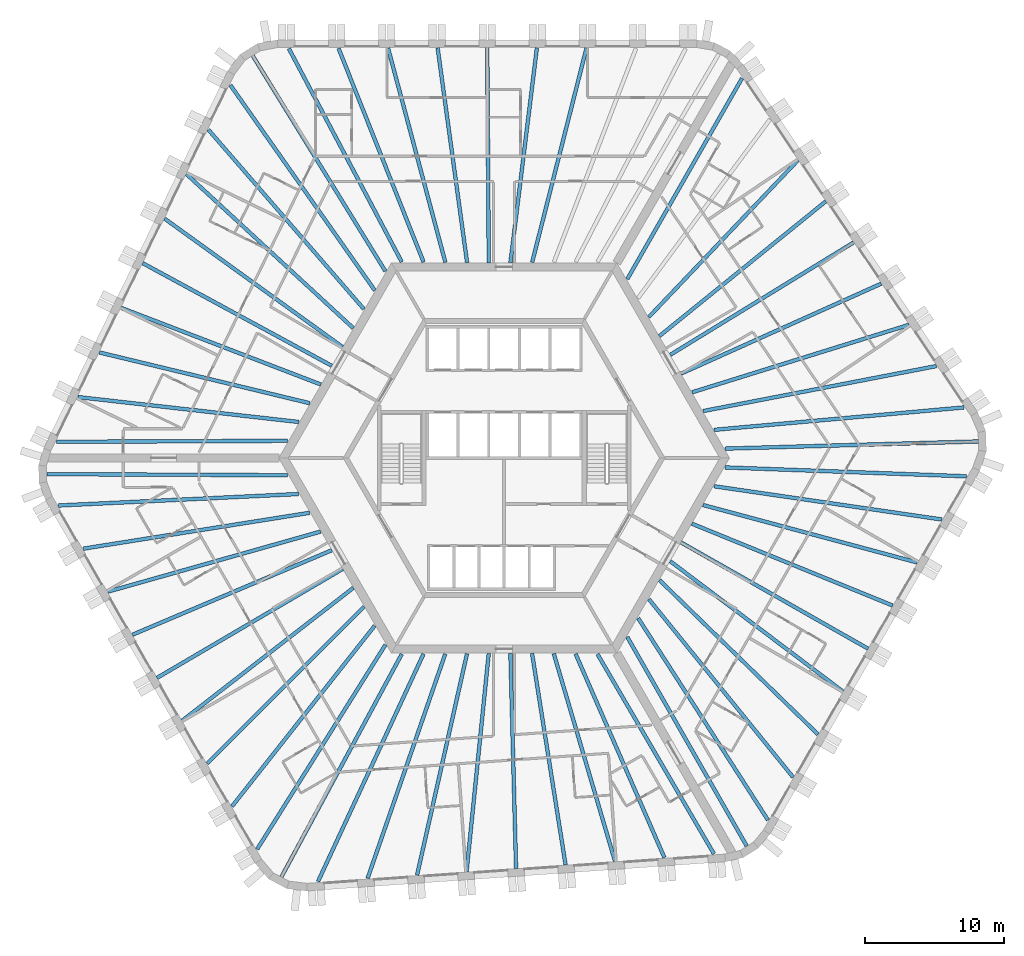
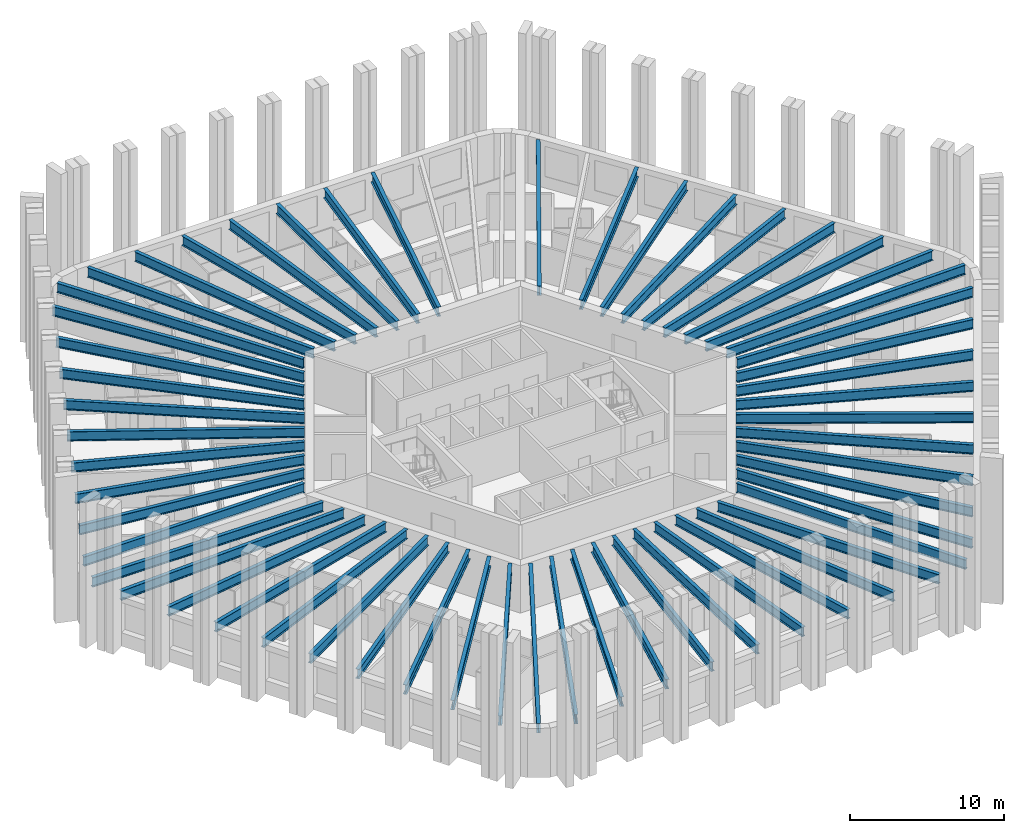
# One storey, part 1 of 13: 56 beams.
"""IFC4 building model written with IfcOpenShell, lengths in metres."""

from ifc_helpers import new_model, si_unit, direction, frame, origin, origin_2d, place, context, subcontext, project, spatial, i_section, extrude, material, material_profile, profile_set, type_object, element, save


model = new_model("IFC4")

# Units and contexts
model_context = context("Model", 3, precision=1e-05, world=origin(), true_north=direction((0.0, 1.0)))
body_context = subcontext(model_context, "Body", "Model", "MODEL_VIEW")
ifc_project = project(units=[si_unit("LENGTHUNIT", "METRE"), si_unit("AREAUNIT", "SQUARE_METRE"), si_unit("VOLUMEUNIT", "CUBIC_METRE"), si_unit("PLANEANGLEUNIT", "RADIAN"), si_unit("MASSUNIT", "GRAM", prefix="KILO")], contexts=[model_context])

# Site, building, storey
site_placement = place(None, origin())
site = spatial("IfcSite", under=ifc_project, at=site_placement, CompositionType="ELEMENT")
building_placement = place(site_placement, origin())
building = spatial("IfcBuilding", under=site, at=building_placement, Name="Tarnside Tower", CompositionType="ELEMENT")
storey_placement = place(building_placement, frame((0.0, 0.0, 135.0)))
storey = spatial("IfcBuildingStorey", under=building, at=storey_placement, Name="L31", CompositionType="ELEMENT", Elevation=135.0)

# Beams
ifc_material = material(Name="Steel S355", Category="steel")
ifc_material_profile_1 = material_profile(ifc_material, i_section(OverallWidth=0.26513671875, OverallDepth=0.75390625, WebThickness=0.0126953125, FlangeThickness=0.017578125, FilletRadius=0.0166015625, at=origin_2d()), Name="UB 762x267x147")
ifc_profile_set_1 = profile_set([ifc_material_profile_1], Name="Steel S355")
beam_type_1 = type_object("IfcBeamType", Name="Floor beam UB 762x267x147", PredefinedType="BEAM", material=ifc_profile_set_1)
beam_1_placement = place(storey_placement, frame((2.3525390625, 29.43017578125, 3.373046875), z_axis=(-0.122329629165, -0.992489527314, 0.0), x_axis=(0.992489527314, -0.122329629165, 0.0)))
element("IfcBeam", 1, at=beam_1_placement, inside=storey, type_object=beam_type_1, Name="Floor beam F1.04", PredefinedType="BEAM", context=body_context, shape_type="SweptSolid", body=[
    extrude(i_section(OverallWidth=0.26513671875, OverallDepth=0.75390625, WebThickness=0.0126953125, FlangeThickness=0.017578125, FilletRadius=0.0166015625, at=origin_2d()), origin(), (0.0, 0.0, 1.0), 15.527099609375),
])
beam_2_placement = place(storey_placement, frame((-1.208984375, 29.449951171875, 3.373046875), z_axis=(0.007000128723, -0.999975498799, 0.0), x_axis=(0.999975498799, 0.007000128723, 0.0)))
element("IfcBeam", 2, at=beam_2_placement, inside=storey, type_object=beam_type_1, Name="Floor beam F1.05", PredefinedType="BEAM", context=body_context, shape_type="SweptSolid", body=[
    extrude(i_section(OverallWidth=0.26513671875, OverallDepth=0.75390625, WebThickness=0.0126953125, FlangeThickness=0.017578125, FilletRadius=0.0166015625, at=origin_2d()), origin(), (0.0, 0.0, 1.0), 15.450439453125),
])
beam_3_placement = place(storey_placement, frame((-4.7705078125, 29.43017578125, 3.373046875), z_axis=(0.136000560933, -0.990708760144, 0.0), x_axis=(0.990708760144, 0.136000560933, 0.0)))
element("IfcBeam", 3, at=beam_3_placement, inside=storey, type_object=beam_type_1, Name="Floor beam F1.06", PredefinedType="BEAM", context=body_context, shape_type="SweptSolid", body=[
    extrude(i_section(OverallWidth=0.26513671875, OverallDepth=0.75390625, WebThickness=0.0126953125, FlangeThickness=0.017578125, FilletRadius=0.0166015625, at=origin_2d()), origin(), (0.0, 0.0, 1.0), 15.554931640625),
])
beam_4_placement = place(storey_placement, frame((-24.348876953125, 17.168212890625, 3.373046875), z_axis=(0.811027744825, -0.585007689799, 0.0), x_axis=(0.585007689799, 0.811027744825, 0.0)))
element("IfcBeam", 4, at=beam_4_placement, inside=storey, type_object=beam_type_1, Name="Floor beam F2.04", PredefinedType="BEAM", context=body_context, shape_type="SweptSolid", body=[
    extrude(i_section(OverallWidth=0.26513671875, OverallDepth=0.75390625, WebThickness=0.0126953125, FlangeThickness=0.017578125, FilletRadius=0.0166015625, at=origin_2d()), origin(), (0.0, 0.0, 1.0), 15.731689453125),
])
beam_5_placement = place(storey_placement, frame((-25.92626953125, 13.978271484375, 3.373046875), z_axis=(0.878894567679, -0.477016078245, 0.0), x_axis=(0.477016078245, 0.878894567679, 0.0)))
element("IfcBeam", 5, at=beam_5_placement, inside=storey, type_object=beam_type_1, Name="Floor beam F2.05", PredefinedType="BEAM", context=body_context, shape_type="SweptSolid", body=[
    extrude(i_section(OverallWidth=0.26513671875, OverallDepth=0.75390625, WebThickness=0.0126953125, FlangeThickness=0.017578125, FilletRadius=0.0166015625, at=origin_2d()), origin(), (0.0, 0.0, 1.0), 15.427490234375),
])
beam_6_placement = place(storey_placement, frame((-27.487548828125, 10.77734375, 3.373046875), z_axis=(0.933617702452, -0.358270827264, 0.0), x_axis=(0.358270827264, 0.933617702452, 0.0)))
element("IfcBeam", 6, at=beam_6_placement, inside=storey, type_object=beam_type_1, Name="Floor beam F2.06", PredefinedType="BEAM", context=body_context, shape_type="SweptSolid", body=[
    extrude(i_section(OverallWidth=0.26513671875, OverallDepth=0.75390625, WebThickness=0.0126953125, FlangeThickness=0.017578125, FilletRadius=0.0166015625, at=origin_2d()), origin(), (0.0, 0.0, 1.0), 15.363037109375),
])
beam_7_placement = place(storey_placement, frame((-29.029296875, 7.572509765625, 3.373046875), z_axis=(0.972101750991, -0.234559556873, 0.0), x_axis=(0.234559556873, 0.972101750991, 0.0)))
element("IfcBeam", 7, at=beam_7_placement, inside=storey, type_object=beam_type_1, Name="Floor beam F2.07", PredefinedType="BEAM", context=body_context, shape_type="SweptSolid", body=[
    extrude(i_section(OverallWidth=0.26513671875, OverallDepth=0.75390625, WebThickness=0.0126953125, FlangeThickness=0.017578125, FilletRadius=0.0166015625, at=origin_2d()), origin(), (0.0, 0.0, 1.0), 15.522216796875),
])
beam_8_placement = place(storey_placement, frame((-26.66357421875, -12.677734375, 3.373046875), z_axis=(0.920684021494, 0.390308765679, 0.0), x_axis=(-0.390308765679, 0.920684021494, 0.0)))
element("IfcBeam", 8, at=beam_8_placement, inside=storey, type_object=beam_type_1, Name="Floor beam F3.04", PredefinedType="BEAM", context=body_context, shape_type="SweptSolid", body=[
    extrude(i_section(OverallWidth=0.26513671875, OverallDepth=0.75390625, WebThickness=0.0126953125, FlangeThickness=0.017578125, FilletRadius=0.0166015625, at=origin_2d()), origin(), (0.0, 0.0, 1.0), 15.52685546875),
])
beam_9_placement = place(storey_placement, frame((-24.89990234375, -15.772216796875, 3.373046875), z_axis=(0.862497502004, 0.506061319443, 0.0), x_axis=(-0.506061319443, 0.862497502004, 0.0)))
element("IfcBeam", 9, at=beam_9_placement, inside=storey, type_object=beam_type_1, Name="Floor beam F3.05", PredefinedType="BEAM", context=body_context, shape_type="SweptSolid", body=[
    extrude(i_section(OverallWidth=0.26513671875, OverallDepth=0.75390625, WebThickness=0.0126953125, FlangeThickness=0.017578125, FilletRadius=0.0166015625, at=origin_2d()), origin(), (0.0, 0.0, 1.0), 15.450439453125),
])
beam_10_placement = place(storey_placement, frame((-23.10205078125, -18.846435546875, 3.373046875), z_axis=(0.789983963813, 0.613127504617, 0.0), x_axis=(-0.613127504617, 0.789983963813, 0.0)))
element("IfcBeam", 10, at=beam_10_placement, inside=storey, type_object=beam_type_1, Name="Floor beam F3.06", PredefinedType="BEAM", context=body_context, shape_type="SweptSolid", body=[
    extrude(i_section(OverallWidth=0.26513671875, OverallDepth=0.75390625, WebThickness=0.0126953125, FlangeThickness=0.017578125, FilletRadius=0.0166015625, at=origin_2d()), origin(), (0.0, 0.0, 1.0), 15.554931640625),
])
beam_11_placement = place(storey_placement, frame((-2.693603515625, -29.6708984375, 3.373046875), z_axis=(0.101123115756, 0.994873919379, 0.0), x_axis=(-0.994873919379, 0.101123115756, 0.0)))
element("IfcBeam", 11, at=beam_11_placement, inside=storey, type_object=beam_type_1, Name="Floor beam F4.04", PredefinedType="BEAM", context=body_context, shape_type="SweptSolid", body=[
    extrude(i_section(OverallWidth=0.26513671875, OverallDepth=0.75390625, WebThickness=0.0126953125, FlangeThickness=0.017578125, FilletRadius=0.0166015625, at=origin_2d()), origin(), (0.0, 0.0, 1.0), 15.7314453125),
])
beam_12_placement = place(storey_placement, frame((0.857666015625, -29.44189453125, 3.373046875), z_axis=(-0.026333316788, 0.999653218085, 0.0), x_axis=(-0.999653218085, -0.026333316788, 0.0)))
element("IfcBeam", 12, at=beam_12_placement, inside=storey, type_object=beam_type_1, Name="Floor beam F4.05", PredefinedType="BEAM", context=body_context, shape_type="SweptSolid", body=[
    extrude(i_section(OverallWidth=0.26513671875, OverallDepth=0.75390625, WebThickness=0.0126953125, FlangeThickness=0.017578125, FilletRadius=0.0166015625, at=origin_2d()), origin(), (0.0, 0.0, 1.0), 15.42724609375),
])
beam_13_placement = place(storey_placement, frame((4.41015625, -29.193603515625, 3.373046875), z_axis=(-0.156513375907, 0.98767583911, 0.0), x_axis=(-0.98767583911, -0.156513375907, 0.0)))
element("IfcBeam", 13, at=beam_13_placement, inside=storey, type_object=beam_type_1, Name="Floor beam F4.06", PredefinedType="BEAM", context=body_context, shape_type="SweptSolid", body=[
    extrude(i_section(OverallWidth=0.26513671875, OverallDepth=0.75390625, WebThickness=0.0126953125, FlangeThickness=0.017578125, FilletRadius=0.0166015625, at=origin_2d()), origin(), (0.0, 0.0, 1.0), 15.36328125),
])
beam_14_placement = place(storey_placement, frame((7.956787109375, -28.926513671875, 3.373046875), z_axis=(-0.282920694328, 0.959143305623, 0.0), x_axis=(-0.959143305623, -0.282920694328, 0.0)))
element("IfcBeam", 14, at=beam_14_placement, inside=storey, type_object=beam_type_1, Name="Floor beam F4.07", PredefinedType="BEAM", context=body_context, shape_type="SweptSolid", body=[
    extrude(i_section(OverallWidth=0.26513671875, OverallDepth=0.75390625, WebThickness=0.0126953125, FlangeThickness=0.017578125, FilletRadius=0.0166015625, at=origin_2d()), origin(), (0.0, 0.0, 1.0), 15.5224609375),
])
beam_15_placement = place(storey_placement, frame((24.31103515625, -16.75244140625, 3.373046875), z_axis=(-0.798361152727, 0.602178935049, 0.0), x_axis=(-0.602178935049, -0.798361152727, 0.0)))
element("IfcBeam", 15, at=beam_15_placement, inside=storey, type_object=beam_type_1, Name="Floor beam F5.04", PredefinedType="BEAM", context=body_context, shape_type="SweptSolid", body=[
    extrude(i_section(OverallWidth=0.26513671875, OverallDepth=0.75390625, WebThickness=0.0126953125, FlangeThickness=0.017578125, FilletRadius=0.0166015625, at=origin_2d()), origin(), (0.0, 0.0, 1.0), 15.527099609375),
])
beam_16_placement = place(storey_placement, frame((26.10888671875, -13.677978515625, 3.373046875), z_axis=(-0.869502520992, 0.493928502911, 0.0), x_axis=(-0.493928502911, -0.869502520992, 0.0)))
element("IfcBeam", 16, at=beam_16_placement, inside=storey, type_object=beam_type_1, Name="Floor beam F5.05", PredefinedType="BEAM", context=body_context, shape_type="SweptSolid", body=[
    extrude(i_section(OverallWidth=0.26513671875, OverallDepth=0.75390625, WebThickness=0.0126953125, FlangeThickness=0.017578125, FilletRadius=0.0166015625, at=origin_2d()), origin(), (0.0, 0.0, 1.0), 15.4501953125),
])
beam_17_placement = place(storey_placement, frame((27.87255859375, -10.58349609375, 3.373046875), z_axis=(-0.925981621163, 0.377568586177, 0.0), x_axis=(-0.377568586177, -0.925981621163, 0.0)))
element("IfcBeam", 17, at=beam_17_placement, inside=storey, type_object=beam_type_1, Name="Floor beam F5.06", PredefinedType="BEAM", context=body_context, shape_type="SweptSolid", body=[
    extrude(i_section(OverallWidth=0.26513671875, OverallDepth=0.75390625, WebThickness=0.0126953125, FlangeThickness=0.017578125, FilletRadius=0.0166015625, at=origin_2d()), origin(), (0.0, 0.0, 1.0), 15.554931640625),
])
beam_18_placement = place(storey_placement, frame((27.04248046875, 12.502685546875, 3.373046875), z_axis=(-0.912146413919, -0.409864513681, 0.0), x_axis=(0.409864513681, -0.912146413919, 0.0)))
element("IfcBeam", 18, at=beam_18_placement, inside=storey, type_object=beam_type_1, Name="Floor beam F6.04", PredefinedType="BEAM", context=body_context, shape_type="SweptSolid", body=[
    extrude(i_section(OverallWidth=0.26513671875, OverallDepth=0.75390625, WebThickness=0.0126953125, FlangeThickness=0.017578125, FilletRadius=0.0166015625, at=origin_2d()), origin(), (0.0, 0.0, 1.0), 15.7314453125),
])
beam_19_placement = place(storey_placement, frame((25.068603515625, 15.463623046875, 3.373046875), z_axis=(-0.852558490017, -0.522631821744, 0.0), x_axis=(0.522631821744, -0.852558490017, 0.0)))
element("IfcBeam", 19, at=beam_19_placement, inside=storey, type_object=beam_type_1, Name="Floor beam F6.05", PredefinedType="BEAM", context=body_context, shape_type="SweptSolid", body=[
    extrude(i_section(OverallWidth=0.26513671875, OverallDepth=0.75390625, WebThickness=0.0126953125, FlangeThickness=0.017578125, FilletRadius=0.0166015625, at=origin_2d()), origin(), (0.0, 0.0, 1.0), 15.42724609375),
])
beam_20_placement = place(storey_placement, frame((23.0771484375, 18.416259765625, 3.373046875), z_axis=(-0.777079423039, -0.629402550272, 0.0), x_axis=(0.629402550272, -0.777079423039, 0.0)))
element("IfcBeam", 20, at=beam_20_placement, inside=storey, type_object=beam_type_1, Name="Floor beam F6.06", PredefinedType="BEAM", context=body_context, shape_type="SweptSolid", body=[
    extrude(i_section(OverallWidth=0.26513671875, OverallDepth=0.75390625, WebThickness=0.0126953125, FlangeThickness=0.017578125, FilletRadius=0.0166015625, at=origin_2d()), origin(), (0.0, 0.0, 1.0), 15.36328125),
])
beam_21_placement = place(storey_placement, frame((21.072509765625, 21.35400390625, 3.373046875), z_axis=(-0.689174694318, -0.724595225427, 0.0), x_axis=(0.724595225427, -0.689174694318, 0.0)))
element("IfcBeam", 21, at=beam_21_placement, inside=storey, type_object=beam_type_1, Name="Floor beam F6.07", PredefinedType="BEAM", context=body_context, shape_type="SweptSolid", body=[
    extrude(i_section(OverallWidth=0.26513671875, OverallDepth=0.75390625, WebThickness=0.0126953125, FlangeThickness=0.017578125, FilletRadius=0.0166015625, at=origin_2d()), origin(), (0.0, 0.0, 1.0), 15.522216796875),
])
ifc_material_profile_2 = material_profile(ifc_material, i_section(OverallWidth=0.2666015625, OverallDepth=0.76220703125, WebThickness=0.014404296875, FlangeThickness=0.021484375, FilletRadius=0.0166015625, at=origin_2d()), Name="UB 762x267x173")
ifc_profile_set_2 = profile_set([ifc_material_profile_2], Name="Steel S355")
beam_type_2 = type_object("IfcBeamType", Name="Floor beam UB 762x267x173", PredefinedType="BEAM", material=ifc_profile_set_2)
beam_22_placement = place(storey_placement, frame((5.909423828125, 29.4111328125, 3.368896484375), z_axis=(-0.245747281389, -0.969333933013, 0.0), x_axis=(0.969333933013, -0.245747281389, 0.0)))
element("IfcBeam", 22, at=beam_22_placement, inside=storey, type_object=beam_type_2, Name="Floor beam F1.03", PredefinedType="BEAM", context=body_context, shape_type="SweptSolid", body=[
    extrude(i_section(OverallWidth=0.2666015625, OverallDepth=0.76220703125, WebThickness=0.014404296875, FlangeThickness=0.021484375, FilletRadius=0.0166015625, at=origin_2d()), origin(), (0.0, 0.0, 1.0), 15.858642578125),
])
beam_23_placement = place(storey_placement, frame((-8.3271484375, 29.411376953125, 3.368896484375), z_axis=(0.258447478572, -0.966025310652, 0.0), x_axis=(0.966025310652, 0.258447478572, 0.0)))
element("IfcBeam", 23, at=beam_23_placement, inside=storey, type_object=beam_type_2, Name="Floor beam F1.07", PredefinedType="BEAM", context=body_context, shape_type="SweptSolid", body=[
    extrude(i_section(OverallWidth=0.2666015625, OverallDepth=0.76220703125, WebThickness=0.014404296875, FlangeThickness=0.021484375, FilletRadius=0.0166015625, at=origin_2d()), origin(), (0.0, 0.0, 1.0), 15.91357421875),
])
beam_24_placement = place(storey_placement, frame((-11.87939453125, 29.394287109375, 3.368896484375), z_axis=(0.369638204477, -0.929175762593, 0.0), x_axis=(0.929175762593, 0.369638204477, 0.0)))
element("IfcBeam", 24, at=beam_24_placement, inside=storey, type_object=beam_type_2, Name="Floor beam F1.08", PredefinedType="BEAM", context=body_context, shape_type="SweptSolid", body=[
    extrude(i_section(OverallWidth=0.2666015625, OverallDepth=0.76220703125, WebThickness=0.014404296875, FlangeThickness=0.021484375, FilletRadius=0.0166015625, at=origin_2d()), origin(), (0.0, 0.0, 1.0), 16.507568359375),
])
beam_25_placement = place(storey_placement, frame((-15.44580078125, 29.37939453125, 3.368896484375), z_axis=(0.467741993634, -0.883865050441, 0.0), x_axis=(0.883865050441, 0.467741993634, 0.0)))
element("IfcBeam", 25, at=beam_25_placement, inside=storey, type_object=beam_type_2, Name="Floor beam F1.09", PredefinedType="BEAM", context=body_context, shape_type="SweptSolid", body=[
    extrude(i_section(OverallWidth=0.2666015625, OverallDepth=0.76220703125, WebThickness=0.014404296875, FlangeThickness=0.021484375, FilletRadius=0.0166015625, at=origin_2d()), origin(), (0.0, 0.0, 1.0), 17.320068359375),
])
beam_26_placement = place(storey_placement, frame((-18.042236328125, 28.8701171875, 3.368896484375), z_axis=(0.524382977035, -0.851482526771, 0.0), x_axis=(0.851482526771, 0.524382977035, 0.0)))
element("IfcBeam", 26, at=beam_26_placement, inside=storey, type_object=beam_type_2, Name="Floor beam C1", PredefinedType="BEAM", context=body_context, shape_type="SweptSolid", body=[
    extrude(i_section(OverallWidth=0.2666015625, OverallDepth=0.76220703125, WebThickness=0.014404296875, FlangeThickness=0.021484375, FilletRadius=0.0166015625, at=origin_2d()), origin(), (0.0, 0.0, 1.0), 18.1728515625),
])
beam_27_placement = place(storey_placement, frame((-19.638671875, 26.75537109375, 3.368896484375), z_axis=(0.575411427849, -0.817864101609, 0.0), x_axis=(0.817864101609, 0.575411427849, 0.0)))
element("IfcBeam", 27, at=beam_27_placement, inside=storey, type_object=beam_type_2, Name="Floor beam F2.01", PredefinedType="BEAM", context=body_context, shape_type="SweptSolid", body=[
    extrude(i_section(OverallWidth=0.2666015625, OverallDepth=0.76220703125, WebThickness=0.014404296875, FlangeThickness=0.021484375, FilletRadius=0.0166015625, at=origin_2d()), origin(), (0.0, 0.0, 1.0), 18.00048828125),
])
beam_28_placement = place(storey_placement, frame((-21.21630859375, 23.554931640625, 3.368896484375), z_axis=(0.654980748073, -0.755645564834, 0.0), x_axis=(0.755645564834, 0.654980748073, 0.0)))
element("IfcBeam", 28, at=beam_28_placement, inside=storey, type_object=beam_type_2, Name="Floor beam F2.02", PredefinedType="BEAM", context=body_context, shape_type="SweptSolid", body=[
    extrude(i_section(OverallWidth=0.2666015625, OverallDepth=0.76220703125, WebThickness=0.014404296875, FlangeThickness=0.021484375, FilletRadius=0.0166015625, at=origin_2d()), origin(), (0.0, 0.0, 1.0), 17.0302734375),
])
beam_29_placement = place(storey_placement, frame((-22.7890625, 20.368408203125, 3.368896484375), z_axis=(0.734715474517, -0.678375391288, 0.0), x_axis=(0.678375391288, 0.734715474517, 0.0)))
element("IfcBeam", 29, at=beam_29_placement, inside=storey, type_object=beam_type_2, Name="Floor beam F2.03", PredefinedType="BEAM", context=body_context, shape_type="SweptSolid", body=[
    extrude(i_section(OverallWidth=0.2666015625, OverallDepth=0.76220703125, WebThickness=0.014404296875, FlangeThickness=0.021484375, FilletRadius=0.0166015625, at=origin_2d()), origin(), (0.0, 0.0, 1.0), 16.2802734375),
])
beam_30_placement = place(storey_placement, frame((-30.570556640625, 4.372802734375, 3.368896484375), z_axis=(0.993687302776, -0.112185312326, 0.0), x_axis=(0.112185312326, 0.993687302776, 0.0)))
element("IfcBeam", 30, at=beam_30_placement, inside=storey, type_object=beam_type_2, Name="Floor beam F2.08", PredefinedType="BEAM", context=body_context, shape_type="SweptSolid", body=[
    extrude(i_section(OverallWidth=0.2666015625, OverallDepth=0.76220703125, WebThickness=0.014404296875, FlangeThickness=0.021484375, FilletRadius=0.0166015625, at=origin_2d()), origin(), (0.0, 0.0, 1.0), 15.934326171875),
])
beam_31_placement = place(storey_placement, frame((-32.119384765625, 1.162109375, 3.368896484375), z_axis=(0.999990508787, 0.004356872304, 0.0), x_axis=(-0.004356872304, 0.999990508787, 0.0)))
element("IfcBeam", 31, at=beam_31_placement, inside=storey, type_object=beam_type_2, Name="Floor beam F2.09", PredefinedType="BEAM", context=body_context, shape_type="SweptSolid", body=[
    extrude(i_section(OverallWidth=0.2666015625, OverallDepth=0.76220703125, WebThickness=0.014404296875, FlangeThickness=0.021484375, FilletRadius=0.0166015625, at=origin_2d()), origin(), (0.0, 0.0, 1.0), 16.586669921875),
])
beam_32_placement = place(storey_placement, frame((-32.80712890625, -1.1572265625, 3.368896484375), z_axis=(0.999990027056, -0.004466070929, 0.0), x_axis=(0.004466070929, 0.999990027056, 0.0)))
element("IfcBeam", 32, at=beam_32_placement, inside=storey, type_object=beam_type_2, Name="Floor beam C2", PredefinedType="BEAM", context=body_context, shape_type="SweptSolid", body=[
    extrude(i_section(OverallWidth=0.2666015625, OverallDepth=0.76220703125, WebThickness=0.014404296875, FlangeThickness=0.021484375, FilletRadius=0.0166015625, at=origin_2d()), origin(), (0.0, 0.0, 1.0), 17.2744140625),
])
beam_33_placement = place(storey_placement, frame((-31.95703125, -3.406494140625, 3.368896484375), z_axis=(0.998853818522, 0.047864905982, 0.0), x_axis=(-0.047864905982, 0.998853818522, 0.0)))
element("IfcBeam", 33, at=beam_33_placement, inside=storey, type_object=beam_type_2, Name="Floor beam F3.01", PredefinedType="BEAM", context=body_context, shape_type="SweptSolid", body=[
    extrude(i_section(OverallWidth=0.2666015625, OverallDepth=0.76220703125, WebThickness=0.014404296875, FlangeThickness=0.021484375, FilletRadius=0.0166015625, at=origin_2d()), origin(), (0.0, 0.0, 1.0), 17.2197265625),
])
beam_34_placement = place(storey_placement, frame((-30.18701171875, -6.502685546875, 3.368896484375), z_axis=(0.987678477078, 0.156496728136, 0.0), x_axis=(-0.156496728136, 0.987678477078, 0.0)))
element("IfcBeam", 34, at=beam_34_placement, inside=storey, type_object=beam_type_2, Name="Floor beam F3.02", PredefinedType="BEAM", context=body_context, shape_type="SweptSolid", body=[
    extrude(i_section(OverallWidth=0.2666015625, OverallDepth=0.76220703125, WebThickness=0.014404296875, FlangeThickness=0.021484375, FilletRadius=0.0166015625, at=origin_2d()), origin(), (0.0, 0.0, 1.0), 16.4287109375),
])
beam_35_placement = place(storey_placement, frame((-28.425537109375, -9.587890625, 3.368896484375), z_axis=(0.962342240503, 0.271840784547, 0.0), x_axis=(-0.271840784547, 0.962342240503, 0.0)))
element("IfcBeam", 35, at=beam_35_placement, inside=storey, type_object=beam_type_2, Name="Floor beam F3.03", PredefinedType="BEAM", context=body_context, shape_type="SweptSolid", body=[
    extrude(i_section(OverallWidth=0.2666015625, OverallDepth=0.76220703125, WebThickness=0.014404296875, FlangeThickness=0.021484375, FilletRadius=0.0166015625, at=origin_2d()), origin(), (0.0, 0.0, 1.0), 15.858642578125),
])
beam_36_placement = place(storey_placement, frame((-21.307373046875, -21.917236328125, 3.368896484375), z_axis=(0.707367544857, 0.706845921318, 0.0), x_axis=(-0.706845921318, 0.707367544857, 0.0)))
element("IfcBeam", 36, at=beam_36_placement, inside=storey, type_object=beam_type_2, Name="Floor beam F3.07", PredefinedType="BEAM", context=body_context, shape_type="SweptSolid", body=[
    extrude(i_section(OverallWidth=0.2666015625, OverallDepth=0.76220703125, WebThickness=0.014404296875, FlangeThickness=0.021484375, FilletRadius=0.0166015625, at=origin_2d()), origin(), (0.0, 0.0, 1.0), 15.913330078125),
])
beam_37_placement = place(storey_placement, frame((-19.516357421875, -24.985107421875, 3.368896484375), z_axis=(0.619872995007, 0.784702153725, 0.0), x_axis=(-0.784702153725, 0.619872995007, 0.0)))
element("IfcBeam", 37, at=beam_37_placement, inside=storey, type_object=beam_type_2, Name="Floor beam F3.08", PredefinedType="BEAM", context=body_context, shape_type="SweptSolid", body=[
    extrude(i_section(OverallWidth=0.2666015625, OverallDepth=0.76220703125, WebThickness=0.014404296875, FlangeThickness=0.021484375, FilletRadius=0.0166015625, at=origin_2d()), origin(), (0.0, 0.0, 1.0), 16.507568359375),
])
beam_38_placement = place(storey_placement, frame((-17.72021484375, -28.066162109375, 3.368896484375), z_axis=(0.531583085704, 0.847006152866, 0.0), x_axis=(-0.847006152866, 0.531583085704, 0.0)))
element("IfcBeam", 38, at=beam_38_placement, inside=storey, type_object=beam_type_2, Name="Floor beam F3.09", PredefinedType="BEAM", context=body_context, shape_type="SweptSolid", body=[
    extrude(i_section(OverallWidth=0.2666015625, OverallDepth=0.76220703125, WebThickness=0.014404296875, FlangeThickness=0.021484375, FilletRadius=0.0166015625, at=origin_2d()), origin(), (0.0, 0.0, 1.0), 17.320068359375),
])
beam_39_placement = place(storey_placement, frame((-15.981201171875, -30.060302734375, 3.368896484375), z_axis=(0.475208200571, 0.879873380726, 0.0), x_axis=(-0.879873380726, 0.475208200571, 0.0)))
element("IfcBeam", 39, at=beam_39_placement, inside=storey, type_object=beam_type_2, Name="Floor beam C3", PredefinedType="BEAM", context=body_context, shape_type="SweptSolid", body=[
    extrude(i_section(OverallWidth=0.2666015625, OverallDepth=0.76220703125, WebThickness=0.014404296875, FlangeThickness=0.021484375, FilletRadius=0.0166015625, at=origin_2d()), origin(), (0.0, 0.0, 1.0), 18.173095703125),
])
beam_40_placement = place(storey_placement, frame((-13.3515625, -30.38525390625, 3.368896484375), z_axis=(0.42059199668, 0.907249895193, 0.0), x_axis=(-0.907249895193, 0.42059199668, 0.0)))
element("IfcBeam", 40, at=beam_40_placement, inside=storey, type_object=beam_type_2, Name="Floor beam F4.01", PredefinedType="BEAM", context=body_context, shape_type="SweptSolid", body=[
    extrude(i_section(OverallWidth=0.2666015625, OverallDepth=0.76220703125, WebThickness=0.014404296875, FlangeThickness=0.021484375, FilletRadius=0.0166015625, at=origin_2d()), origin(), (0.0, 0.0, 1.0), 18.000244140625),
])
beam_41_placement = place(storey_placement, frame((-9.791015625, -30.151123046875, 3.368896484375), z_axis=(0.326912128872, 0.945054739153, 0.0), x_axis=(-0.945054739153, 0.326912128872, 0.0)))
element("IfcBeam", 41, at=beam_41_placement, inside=storey, type_object=beam_type_2, Name="Floor beam F4.02", PredefinedType="BEAM", context=body_context, shape_type="SweptSolid", body=[
    extrude(i_section(OverallWidth=0.2666015625, OverallDepth=0.76220703125, WebThickness=0.014404296875, FlangeThickness=0.021484375, FilletRadius=0.0166015625, at=origin_2d()), origin(), (0.0, 0.0, 1.0), 17.0302734375),
])
beam_42_placement = place(storey_placement, frame((-6.2451171875, -29.920166015625, 3.368896484375), z_axis=(0.220139818673, 0.975468328668, 0.0), x_axis=(-0.975468328668, 0.220139818673, 0.0)))
element("IfcBeam", 42, at=beam_42_placement, inside=storey, type_object=beam_type_2, Name="Floor beam F4.03", PredefinedType="BEAM", context=body_context, shape_type="SweptSolid", body=[
    extrude(i_section(OverallWidth=0.2666015625, OverallDepth=0.76220703125, WebThickness=0.014404296875, FlangeThickness=0.021484375, FilletRadius=0.0166015625, at=origin_2d()), origin(), (0.0, 0.0, 1.0), 16.280517578125),
])
beam_43_placement = place(storey_placement, frame((11.498291015625, -28.6611328125, 3.368896484375), z_axis=(-0.399695682658, 0.916647893831, 0.0), x_axis=(-0.916647893831, -0.399695682658, 0.0)))
element("IfcBeam", 43, at=beam_43_placement, inside=storey, type_object=beam_type_2, Name="Floor beam F4.08", PredefinedType="BEAM", context=body_context, shape_type="SweptSolid", body=[
    extrude(i_section(OverallWidth=0.2666015625, OverallDepth=0.76220703125, WebThickness=0.014404296875, FlangeThickness=0.021484375, FilletRadius=0.0166015625, at=origin_2d()), origin(), (0.0, 0.0, 1.0), 15.934326171875),
])
beam_44_placement = place(storey_placement, frame((15.05322265625, -28.3974609375, 3.368896484375), z_axis=(-0.503758455062, 0.86384455717, 0.0), x_axis=(-0.86384455717, -0.503758455062, 0.0)))
element("IfcBeam", 44, at=beam_44_placement, inside=storey, type_object=beam_type_2, Name="Floor beam F4.09", PredefinedType="BEAM", context=body_context, shape_type="SweptSolid", body=[
    extrude(i_section(OverallWidth=0.2666015625, OverallDepth=0.76220703125, WebThickness=0.014404296875, FlangeThickness=0.021484375, FilletRadius=0.0166015625, at=origin_2d()), origin(), (0.0, 0.0, 1.0), 16.586669921875),
])
beam_45_placement = place(storey_placement, frame((17.40576171875, -27.833251953125, 3.368896484375), z_axis=(-0.496126762138, 0.868250099851, 0.0), x_axis=(-0.868250099851, -0.496126762138, 0.0)))
element("IfcBeam", 45, at=beam_45_placement, inside=storey, type_object=beam_type_2, Name="Floor beam C4", PredefinedType="BEAM", context=body_context, shape_type="SweptSolid", body=[
    extrude(i_section(OverallWidth=0.2666015625, OverallDepth=0.76220703125, WebThickness=0.014404296875, FlangeThickness=0.021484375, FilletRadius=0.0166015625, at=origin_2d()), origin(), (0.0, 0.0, 1.0), 17.2744140625),
])
beam_46_placement = place(storey_placement, frame((18.9287109375, -25.972412109375, 3.368896484375), z_axis=(-0.540872954463, 0.841104302171, 0.0), x_axis=(-0.841104302171, -0.540872954463, 0.0)))
element("IfcBeam", 46, at=beam_46_placement, inside=storey, type_object=beam_type_2, Name="Floor beam F5.01", PredefinedType="BEAM", context=body_context, shape_type="SweptSolid", body=[
    extrude(i_section(OverallWidth=0.2666015625, OverallDepth=0.76220703125, WebThickness=0.014404296875, FlangeThickness=0.021484375, FilletRadius=0.0166015625, at=origin_2d()), origin(), (0.0, 0.0, 1.0), 17.2197265625),
])
beam_47_placement = place(storey_placement, frame((20.72509765625, -22.89111328125, 3.368896484375), z_axis=(-0.62939015525, 0.777089462336, 0.0), x_axis=(-0.777089462336, -0.62939015525, 0.0)))
element("IfcBeam", 47, at=beam_47_placement, inside=storey, type_object=beam_type_2, Name="Floor beam F5.02", PredefinedType="BEAM", context=body_context, shape_type="SweptSolid", body=[
    extrude(i_section(OverallWidth=0.2666015625, OverallDepth=0.76220703125, WebThickness=0.014404296875, FlangeThickness=0.021484375, FilletRadius=0.0166015625, at=origin_2d()), origin(), (0.0, 0.0, 1.0), 16.4287109375),
])
beam_48_placement = place(storey_placement, frame((22.51611328125, -19.8232421875, 3.368896484375), z_axis=(-0.716594696052, 0.697489814686, 0.0), x_axis=(-0.697489814686, -0.716594696052, 0.0)))
element("IfcBeam", 48, at=beam_48_placement, inside=storey, type_object=beam_type_2, Name="Floor beam F5.03", PredefinedType="BEAM", context=body_context, shape_type="SweptSolid", body=[
    extrude(i_section(OverallWidth=0.2666015625, OverallDepth=0.76220703125, WebThickness=0.014404296875, FlangeThickness=0.021484375, FilletRadius=0.0166015625, at=origin_2d()), origin(), (0.0, 0.0, 1.0), 15.858642578125),
])
beam_49_placement = place(storey_placement, frame((29.634521484375, -7.494140625, 3.368896484375), z_axis=(-0.965827851395, 0.259184415946, 0.0), x_axis=(-0.259184415946, -0.965827851395, 0.0)))
element("IfcBeam", 49, at=beam_49_placement, inside=storey, type_object=beam_type_2, Name="Floor beam F5.07", PredefinedType="BEAM", context=body_context, shape_type="SweptSolid", body=[
    extrude(i_section(OverallWidth=0.2666015625, OverallDepth=0.76220703125, WebThickness=0.014404296875, FlangeThickness=0.021484375, FilletRadius=0.0166015625, at=origin_2d()), origin(), (0.0, 0.0, 1.0), 15.913330078125),
])
beam_50_placement = place(storey_placement, frame((31.39599609375, -4.4091796875, 3.368896484375), z_axis=(-0.989507887412, 0.144478859177, 0.0), x_axis=(-0.144478859177, -0.989507887412, 0.0)))
element("IfcBeam", 50, at=beam_50_placement, inside=storey, type_object=beam_type_2, Name="Floor beam F5.08", PredefinedType="BEAM", context=body_context, shape_type="SweptSolid", body=[
    extrude(i_section(OverallWidth=0.2666015625, OverallDepth=0.76220703125, WebThickness=0.014404296875, FlangeThickness=0.021484375, FilletRadius=0.0166015625, at=origin_2d()), origin(), (0.0, 0.0, 1.0), 16.507568359375),
])
beam_51_placement = place(storey_placement, frame((33.166259765625, -1.31298828125, 3.368896484375), z_axis=(-0.999320941149, 0.036846391708, 0.0), x_axis=(-0.036846391708, -0.999320941149, 0.0)))
element("IfcBeam", 51, at=beam_51_placement, inside=storey, type_object=beam_type_2, Name="Floor beam F5.09", PredefinedType="BEAM", context=body_context, shape_type="SweptSolid", body=[
    extrude(i_section(OverallWidth=0.2666015625, OverallDepth=0.76220703125, WebThickness=0.014404296875, FlangeThickness=0.021484375, FilletRadius=0.0166015625, at=origin_2d()), origin(), (0.0, 0.0, 1.0), 17.320068359375),
])
beam_52_placement = place(storey_placement, frame((34.0234375, 1.18994140625, 3.368896484375), z_axis=(-0.999597013499, -0.028386803343, 0.0), x_axis=(0.028386803343, -0.999597013499, 0.0)))
element("IfcBeam", 52, at=beam_52_placement, inside=storey, type_object=beam_type_2, Name="Floor beam C5", PredefinedType="BEAM", context=body_context, shape_type="SweptSolid", body=[
    extrude(i_section(OverallWidth=0.2666015625, OverallDepth=0.76220703125, WebThickness=0.014404296875, FlangeThickness=0.021484375, FilletRadius=0.0166015625, at=origin_2d()), origin(), (0.0, 0.0, 1.0), 18.1728515625),
])
beam_53_placement = place(storey_placement, frame((32.990234375, 3.6298828125, 3.368896484375), z_axis=(-0.995997485142, -0.089381259731, 0.0), x_axis=(0.089381259731, -0.995997485142, 0.0)))
element("IfcBeam", 53, at=beam_53_placement, inside=storey, type_object=beam_type_2, Name="Floor beam F6.01", PredefinedType="BEAM", context=body_context, shape_type="SweptSolid", body=[
    extrude(i_section(OverallWidth=0.2666015625, OverallDepth=0.76220703125, WebThickness=0.014404296875, FlangeThickness=0.021484375, FilletRadius=0.0166015625, at=origin_2d()), origin(), (0.0, 0.0, 1.0), 18.000244140625),
])
beam_54_placement = place(storey_placement, frame((31.007080078125, 6.596435546875, 3.368896484375), z_axis=(-0.981896564922, -0.189417886679, 0.0), x_axis=(0.189417886679, -0.981896564922, 0.0)))
element("IfcBeam", 54, at=beam_54_placement, inside=storey, type_object=beam_type_2, Name="Floor beam F6.02", PredefinedType="BEAM", context=body_context, shape_type="SweptSolid", body=[
    extrude(i_section(OverallWidth=0.2666015625, OverallDepth=0.76220703125, WebThickness=0.014404296875, FlangeThickness=0.021484375, FilletRadius=0.0166015625, at=origin_2d()), origin(), (0.0, 0.0, 1.0), 17.0302734375),
])
beam_55_placement = place(storey_placement, frame((29.0341796875, 9.5517578125, 3.368896484375), z_axis=(-0.954846945108, -0.297098151152, 0.0), x_axis=(0.297098151152, -0.954846945108, 0.0)))
element("IfcBeam", 55, at=beam_55_placement, inside=storey, type_object=beam_type_2, Name="Floor beam F6.03", PredefinedType="BEAM", context=body_context, shape_type="SweptSolid", body=[
    extrude(i_section(OverallWidth=0.2666015625, OverallDepth=0.76220703125, WebThickness=0.014404296875, FlangeThickness=0.021484375, FilletRadius=0.0166015625, at=origin_2d()), origin(), (0.0, 0.0, 1.0), 16.280517578125),
])
beam_56_placement = place(storey_placement, frame((17.066162109375, 27.235107421875, 3.368896484375), z_axis=(-0.49622611841, -0.868193319145, 0.0), x_axis=(0.868193319145, -0.49622611841, 0.0)))
element("IfcBeam", 56, at=beam_56_placement, inside=storey, type_object=beam_type_2, Name="Floor beam F6.09", PredefinedType="BEAM", context=body_context, shape_type="SweptSolid", body=[
    extrude(i_section(OverallWidth=0.2666015625, OverallDepth=0.76220703125, WebThickness=0.014404296875, FlangeThickness=0.021484375, FilletRadius=0.0166015625, at=origin_2d()), origin(), (0.0, 0.0, 1.0), 16.586669921875),
])

save(model, "model.ifc")
